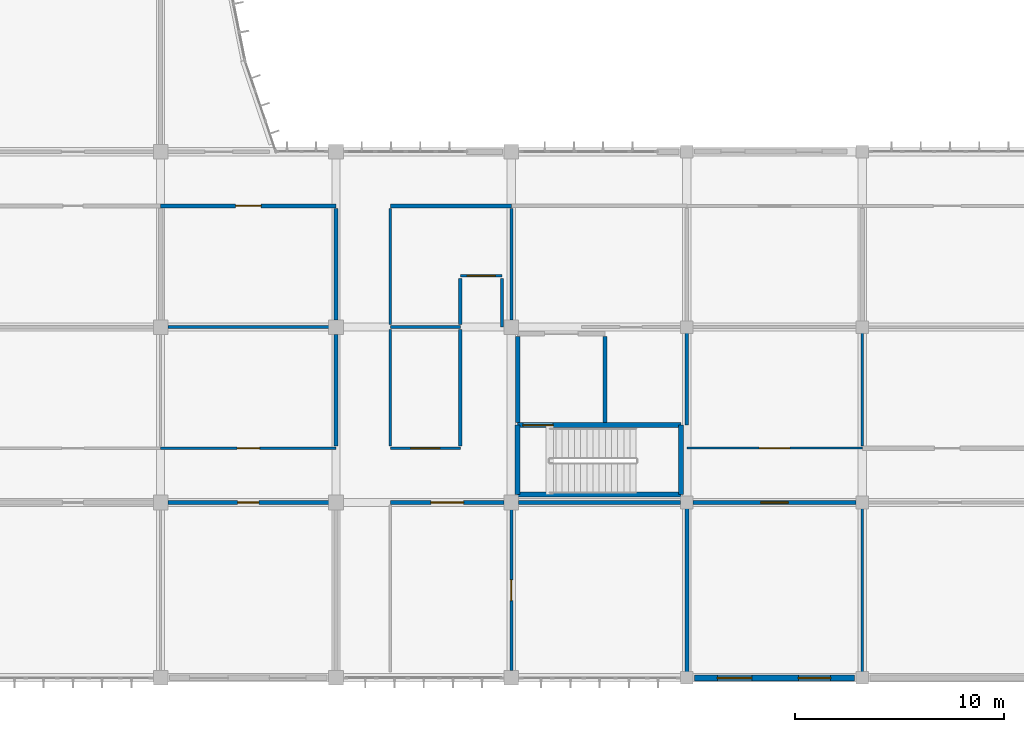
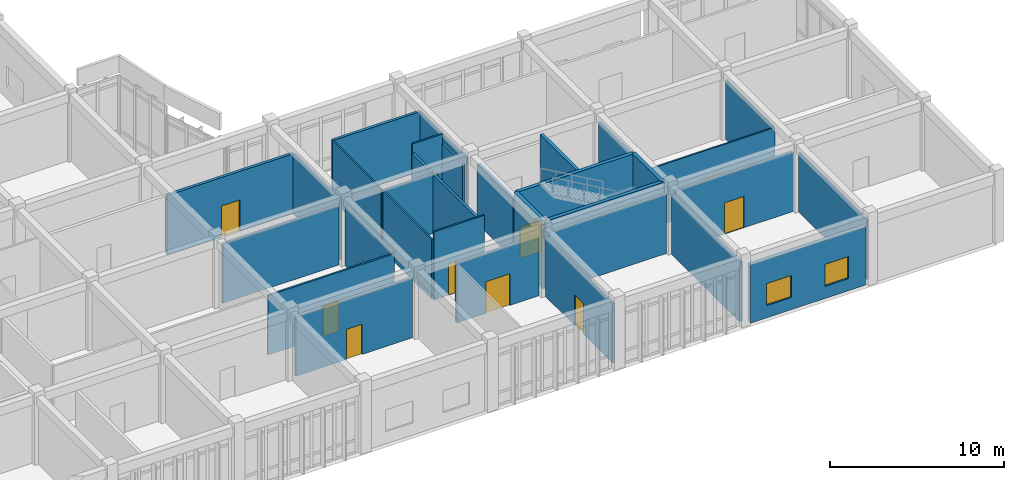
# One storey, part 108 of 134: 32 walls, 10 doors, 2 windows, 12 openings.
"""IFC4 building model written with IfcOpenShell, lengths in metres."""

from ifc_helpers import new_model, si_unit, direction, frame, frame_2d, origin, place, context, subcontext, project, spatial, rectangle, extrude, material, layer, layer_set, type_object, element, fill, save


model = new_model("IFC4")

# Units and contexts
model_context = context("Model", 3, precision=1e-05, world=origin(), true_north=direction((0.0, 1.0)))
body_context = subcontext(model_context, "Body", "Model", "MODEL_VIEW")
ifc_project = project(units=[si_unit("LENGTHUNIT", "METRE"), si_unit("AREAUNIT", "SQUARE_METRE"), si_unit("VOLUMEUNIT", "CUBIC_METRE"), si_unit("PLANEANGLEUNIT", "RADIAN"), si_unit("MASSUNIT", "GRAM", prefix="KILO")], contexts=[model_context])

# Site, building, storey
site_placement = place(None, origin())
site = spatial("IfcSite", under=ifc_project, at=site_placement, CompositionType="ELEMENT")
building_placement = place(site_placement, origin())
building = spatial("IfcBuilding", under=site, at=building_placement, Name="Bramfleet General Hospital", CompositionType="ELEMENT")
storey_placement = place(building_placement, frame((0.0, 0.0, 9.300048828125)))
storey = spatial("IfcBuildingStorey", under=building, at=storey_placement, Name="L02", CompositionType="ELEMENT", Elevation=9.300048828125)

# Wall, openings, windows
ifc_material_1 = material(Name="Precast concrete C40/50", Category="concrete")
ifc_layer_1 = layer(ifc_material_1, 0.280029296875, Name="WT-EW-06")
ifc_layer_set_1 = layer_set([ifc_layer_1], Name="Precast concrete C40/50")
wall_type_1 = type_object("IfcWallType", Name="WT-EW-06", PredefinedType="SOLIDWALL", material=ifc_layer_set_1)
wall_1_placement = place(storey_placement, frame((159.22509765625, 0.0, 0.0), z_axis=(0.0, 0.0, 1.0), x_axis=(-1.0, 0.0, 0.0)))
wall_1 = element("IfcWall", 1, at=wall_1_placement, inside=storey, type_object=wall_type_1, Name="L02 Exterior Wall 228", PredefinedType="SOLIDWALL", context=body_context, shape_type="SweptSolid", body=[
    extrude(rectangle(XDim=7.650146484375, YDim=0.280029296875, at=frame_2d((3.8251953125, 0.0))), origin(), (0.0, 0.0, 1.0), 4.070068359375),
])
opening_1_placement = place(wall_1_placement, frame((1.137451171875, 0.0, 0.85009765625)))
opening_1 = element("IfcOpeningElement", 2, at=opening_1_placement, cuts=wall_1, Name="Opening W-26", PredefinedType="OPENING", context=body_context, shape_type="SweptSolid", body=[
    extrude(rectangle(XDim=1.550048828125, YDim=1.5400390625, at=frame_2d((0.77490234375, 0.77001953125))), frame((0.0, 0.14990234375, 0.0), z_axis=(0.0, -1.0, 0.0), x_axis=(1.0, 0.0, 0.0)), (0.0, 0.0, 1.0), 0.300048828125),
])
opening_2_placement = place(wall_1_placement, frame((4.91259765625, 0.0, 0.85009765625)))
opening_2 = element("IfcOpeningElement", 3, at=opening_2_placement, cuts=wall_1, Name="Opening W-27", PredefinedType="OPENING", context=body_context, shape_type="SweptSolid", body=[
    extrude(rectangle(XDim=1.64990234375, YDim=1.5400390625, at=frame_2d((0.824951171875, 0.77001953125))), frame((0.0, 0.14990234375, 0.0), z_axis=(0.0, -1.0, 0.0), x_axis=(1.0, 0.0, 0.0)), (0.0, 0.0, 1.0), 0.300048828125),
])
ifc_material_2 = material(Name="Anodised aluminium and low-E triple glazing", Category="aluminium")
window_type_1 = type_object("IfcWindowType", Name="WIN-W-26", PartitioningType="SINGLE_PANEL", PredefinedType="WINDOW", material=ifc_material_2)
window_1_placement = place(opening_1_placement, origin())
window_1 = element("IfcWindow", 4, at=window_1_placement, inside=storey, type_object=window_type_1, Name="L02 Facade Window WIN-L02-228-1", OverallHeight=1.5400390625, OverallWidth=1.550048828125, PartitioningType="SINGLE_PANEL", PredefinedType="WINDOW", context=body_context, shape_type="SweptSolid", body=[
    extrude(rectangle(XDim=1.550048828125, YDim=1.5400390625, at=frame_2d((0.77490234375, 0.77001953125))), frame((0.0, 0.030029296875, 0.0), z_axis=(0.0, -1.0, 0.0), x_axis=(1.0, 0.0, 0.0)), (0.0, 0.0, 1.0), 0.06005859375),
])
fill(opening_1, window_1)
window_type_2 = type_object("IfcWindowType", Name="WIN-W-27", PartitioningType="SINGLE_PANEL", PredefinedType="WINDOW", material=ifc_material_2)
window_2_placement = place(opening_2_placement, origin())
window_2 = element("IfcWindow", 5, at=window_2_placement, inside=storey, type_object=window_type_2, Name="L02 Facade Window WIN-L02-228-2", OverallHeight=1.5400390625, OverallWidth=1.64990234375, PartitioningType="SINGLE_PANEL", PredefinedType="WINDOW", context=body_context, shape_type="SweptSolid", body=[
    extrude(rectangle(XDim=1.64990234375, YDim=1.5400390625, at=frame_2d((0.824951171875, 0.77001953125))), frame((0.0, 0.030029296875, 0.0), z_axis=(0.0, -1.0, 0.0), x_axis=(1.0, 0.0, 0.0)), (0.0, 0.0, 1.0), 0.06005859375),
])
fill(opening_2, window_2)

# Walls
ifc_material_3 = material(Name="Concrete C35/45", Category="concrete")
ifc_layer_2 = layer(ifc_material_3, 0.205078125, Name="WT-IW-02")
ifc_layer_set_2 = layer_set([ifc_layer_2], Name="Concrete C35/45")
wall_type_2 = type_object("IfcWallType", Name="WT-IW-02", PredefinedType="PARTITIONING", material=ifc_layer_set_2)
wall_2_placement = place(storey_placement, frame((147.280029296875, 12.239990234375, 0.0), z_axis=(0.0, 0.0, 1.0), x_axis=(0.0, 1.0, 0.0)))
element("IfcWall", 6, at=wall_2_placement, inside=storey, type_object=wall_type_2, Name="L02 C10 Lobby East Shaft Wall", PredefinedType="PARTITIONING", context=body_context, shape_type="SweptSolid", body=[
    extrude(rectangle(XDim=4.1201171875, YDim=0.205078125, at=frame_2d((2.06005859375, 0.0))), origin(), (0.0, 0.0, 1.0), 4.77001953125),
])
wall_3_placement = place(storey_placement, frame((143.10009765625, 12.239990234375, 0.0), z_axis=(0.0, 0.0, 1.0), x_axis=(0.0, 1.0, 0.0)))
element("IfcWall", 7, at=wall_3_placement, inside=storey, type_object=wall_type_2, Name="L02 C10 Lobby West Compartment Wall", PredefinedType="PARTITIONING", context=body_context, shape_type="SweptSolid", body=[
    extrude(rectangle(XDim=4.1201171875, YDim=0.205078125, at=frame_2d((2.06005859375, 0.0))), origin(), (0.0, 0.0, 1.0), 4.169921875),
])

# Wall, opening, door
wall_4_placement = place(storey_placement, frame((126.344970703125, 8.39990234375, 0.0), z_axis=(0.0, 0.0, 1.0), x_axis=(1.0, 0.0, 0.0)))
wall_4 = element("IfcWall", 8, at=wall_4_placement, inside=storey, type_object=wall_type_2, Name="L02 Interior Partition IW-L02-1934", PredefinedType="PARTITIONING", context=body_context, shape_type="SweptSolid", body=[
    extrude(rectangle(XDim=7.7099609375, YDim=0.205078125, at=frame_2d((3.85498046875, 0.0))), origin(), (0.0, 0.0, 1.0), 4.169921875),
])
opening_3_placement = place(wall_4_placement, frame((3.344970703125, 0.0, 0.0)))
opening_3 = element("IfcOpeningElement", 9, at=opening_3_placement, cuts=wall_4, Name="Opening D0981", PredefinedType="OPENING", context=body_context, shape_type="SweptSolid", body=[
    extrude(rectangle(XDim=1.02001953125, YDim=2.1201171875, at=frame_2d((0.510009765625, 1.06005859375))), frame((0.0, 0.112548828125, 0.0), z_axis=(0.0, -1.0, 0.0), x_axis=(1.0, 0.0, 0.0)), (0.0, 0.0, 1.0), 0.22509765625),
])
ifc_material_4 = material(Name="Stainless steel and acoustic timber leaf", Category="steel")
door_type_1 = type_object("IfcDoorType", Name="DR-D-21", OperationType="NOTDEFINED", PredefinedType="DOOR", material=ifc_material_4)
door_1_placement = place(opening_3_placement, origin())
door_1 = element("IfcDoor", 10, at=door_1_placement, inside=storey, type_object=door_type_1, Name="Outpatient Physiotherapy Clinic L02-1500 Door D0981", OperationType="SINGLE_SWING_RIGHT", OverallHeight=2.1201171875, OverallWidth=1.02001953125, PredefinedType="DOOR", context=body_context, shape_type="SweptSolid", body=[
    extrude(rectangle(XDim=1.02001953125, YDim=2.1201171875, at=frame_2d((0.510009765625, 1.06005859375))), frame((0.0, 0.02490234375, 0.0), z_axis=(0.0, -1.0, 0.0), x_axis=(1.0, 0.0, 0.0)), (0.0, 0.0, 1.0), 0.050048828125),
])
fill(opening_3, door_1)

ifc_layer_3 = layer(ifc_material_3, 0.18994140625, Name="WT-IW-03")
ifc_layer_set_3 = layer_set([ifc_layer_3], Name="Concrete C35/45")
wall_type_3 = type_object("IfcWallType", Name="WT-IW-03", PredefinedType="PARTITIONING", material=ifc_layer_set_3)
wall_5_placement = place(storey_placement, frame((137.0, 8.39990234375, 0.0), z_axis=(0.0, 0.0, 1.0), x_axis=(1.0, 0.0, 0.0)))
wall_5 = element("IfcWall", 11, at=wall_5_placement, inside=storey, type_object=wall_type_3, Name="L02 Interior Partition IW-L02-1935", PredefinedType="PARTITIONING", context=body_context, shape_type="SweptSolid", body=[
    extrude(rectangle(XDim=5.455078125, YDim=0.18994140625, at=frame_2d((2.7275390625, 0.0))), origin(), (0.0, 0.0, 1.0), 4.169921875),
])
opening_4_placement = place(wall_5_placement, frame((1.9375, 0.0, 0.0)))
opening_4 = element("IfcOpeningElement", 12, at=opening_4_placement, cuts=wall_5, Name="Opening D0992", PredefinedType="OPENING", context=body_context, shape_type="SweptSolid", body=[
    extrude(rectangle(XDim=1.580078125, YDim=2.219970703125, at=frame_2d((0.7900390625, 1.10986328125))), frame((0.0, 0.10498046875, 0.0), z_axis=(0.0, -1.0, 0.0), x_axis=(1.0, 0.0, 0.0)), (0.0, 0.0, 1.0), 0.2099609375),
])
door_type_2 = type_object("IfcDoorType", Name="DR-D-32", OperationType="NOTDEFINED", PredefinedType="DOOR", material=ifc_material_4)
door_2_placement = place(opening_4_placement, origin())
door_2 = element("IfcDoor", 13, at=door_2_placement, inside=storey, type_object=door_type_2, Name="Outpatient Physiotherapy Clinic L02-1600 Door D0992", OperationType="DOUBLE_SWING_LEFT", OverallHeight=2.219970703125, OverallWidth=1.580078125, PredefinedType="DOOR", context=body_context, shape_type="SweptSolid", body=[
    extrude(rectangle(XDim=1.580078125, YDim=2.219970703125, at=frame_2d((0.7900390625, 1.10986328125))), frame((0.0, 0.02490234375, 0.0), z_axis=(0.0, -1.0, 0.0), x_axis=(1.0, 0.0, 0.0)), (0.0, 0.0, 1.0), 0.050048828125),
])
fill(opening_4, door_2)

wall_6_placement = place(storey_placement, frame((126.0, 22.60009765625, 0.0), z_axis=(0.0, 0.0, 1.0), x_axis=(1.0, 0.0, 0.0)))
wall_6 = element("IfcWall", 14, at=wall_6_placement, inside=storey, type_object=wall_type_3, Name="L02 Interior Partition IW-L02-1959", PredefinedType="PARTITIONING", context=body_context, shape_type="SweptSolid", body=[
    extrude(rectangle(XDim=8.39990234375, YDim=0.18994140625, at=frame_2d((4.199951171875, 0.0))), origin(), (0.0, 0.0, 1.0), 4.169921875),
])
opening_5_placement = place(wall_6_placement, frame((3.590087890625, 0.0, 0.0)))
opening_5 = element("IfcOpeningElement", 15, at=opening_5_placement, cuts=wall_6, Name="Opening D0983", PredefinedType="OPENING", context=body_context, shape_type="SweptSolid", body=[
    extrude(rectangle(XDim=1.219970703125, YDim=2.179931640625, at=frame_2d((0.60986328125, 1.08984375))), frame((0.0, 0.10498046875, 0.0), z_axis=(0.0, -1.0, 0.0), x_axis=(1.0, 0.0, 0.0)), (0.0, 0.0, 1.0), 0.2099609375),
])
door_type_3 = type_object("IfcDoorType", Name="DR-D-23", OperationType="NOTDEFINED", PredefinedType="DOOR", material=ifc_material_4)
door_3_placement = place(opening_5_placement, origin())
door_3 = element("IfcDoor", 16, at=door_3_placement, inside=storey, type_object=door_type_3, Name="Outpatient Physiotherapy Clinic L02-1502 Door D0983", OperationType="SINGLE_SWING_RIGHT", OverallHeight=2.179931640625, OverallWidth=1.219970703125, PredefinedType="DOOR", context=body_context, shape_type="SweptSolid", body=[
    extrude(rectangle(XDim=1.219970703125, YDim=2.179931640625, at=frame_2d((0.60986328125, 1.08984375))), frame((0.0, 0.02490234375, 0.0), z_axis=(0.0, -1.0, 0.0), x_axis=(1.0, 0.0, 0.0)), (0.0, 0.0, 1.0), 0.050048828125),
])
fill(opening_5, door_3)

# Walls
wall_7_placement = place(storey_placement, frame((134.39990234375, 11.114990234375, 0.0), z_axis=(0.0, 0.0, 1.0), x_axis=(0.0, 1.0, 0.0)))
element("IfcWall", 17, at=wall_7_placement, inside=storey, type_object=wall_type_3, Name="L02 Interior Partition IW-L02-2415", PredefinedType="PARTITIONING", context=body_context, shape_type="SweptSolid", body=[
    extrude(rectangle(XDim=5.340087890625, YDim=0.18994140625, at=frame_2d((2.669921875, 0.0))), origin(), (0.0, 0.0, 1.0), 4.169921875),
])
wall_8_placement = place(storey_placement, frame((151.199951171875, 0.294921875, 0.0), z_axis=(0.0, 0.0, 1.0), x_axis=(0.0, 1.0, 0.0)))
element("IfcWall", 18, at=wall_8_placement, inside=storey, type_object=wall_type_3, Name="L02 Interior Partition IW-L02-2439", PredefinedType="PARTITIONING", context=body_context, shape_type="SweptSolid", body=[
    extrude(rectangle(XDim=7.81005859375, YDim=0.18994140625, at=frame_2d((3.905029296875, 0.0))), origin(), (0.0, 0.0, 1.0), 4.169921875),
])
ifc_layer_4 = layer(ifc_material_3, 0.179931640625, Name="WT-IW-04")
ifc_layer_set_4 = layer_set([ifc_layer_4], Name="Concrete C35/45")
wall_type_4 = type_object("IfcWallType", Name="WT-IW-04", PredefinedType="PARTITIONING", material=ifc_layer_set_4)
wall_9_placement = place(storey_placement, frame((143.14501953125, 8.39990234375, 0.0), z_axis=(0.0, 0.0, 1.0), x_axis=(1.0, 0.0, 0.0)))
element("IfcWall", 19, at=wall_9_placement, inside=storey, type_object=wall_type_4, Name="L02 Interior Partition IW-L02-1936", PredefinedType="PARTITIONING", context=body_context, shape_type="SweptSolid", body=[
    extrude(rectangle(XDim=7.760009765625, YDim=0.179931640625, at=frame_2d((3.8798828125, 0.0))), origin(), (0.0, 0.0, 1.0), 4.169921875),
])
wall_10_placement = place(storey_placement, frame((137.0, 22.60009765625, 0.0), z_axis=(0.0, 0.0, 1.0), x_axis=(1.0, 0.0, 0.0)))
element("IfcWall", 20, at=wall_10_placement, inside=storey, type_object=wall_type_4, Name="L02 Interior Partition IW-L02-1960", PredefinedType="PARTITIONING", context=body_context, shape_type="SweptSolid", body=[
    extrude(rectangle(XDim=5.800048828125, YDim=0.179931640625, at=frame_2d((2.89990234375, 0.0))), origin(), (0.0, 0.0, 1.0), 4.169921875),
])
wall_11_placement = place(storey_placement, frame((134.39990234375, 17.14501953125, 0.0), z_axis=(0.0, 0.0, 1.0), x_axis=(0.0, 1.0, 0.0)))
element("IfcWall", 21, at=wall_11_placement, inside=storey, type_object=wall_type_4, Name="L02 Interior Partition IW-L02-2416", PredefinedType="PARTITIONING", context=body_context, shape_type="SweptSolid", body=[
    extrude(rectangle(XDim=5.340087890625, YDim=0.179931640625, at=frame_2d((2.669921875, 0.0))), origin(), (0.0, 0.0, 1.0), 4.169921875),
])
wall_12_placement = place(storey_placement, frame((151.199951171875, 12.10009765625, 0.0), z_axis=(0.0, 0.0, 1.0), x_axis=(0.0, 1.0, 0.0)))
element("IfcWall", 22, at=wall_12_placement, inside=storey, type_object=wall_type_4, Name="L02 Interior Partition IW-L02-2440", PredefinedType="PARTITIONING", context=body_context, shape_type="SweptSolid", body=[
    extrude(rectangle(XDim=4.40478515625, YDim=0.179931640625, at=frame_2d((2.202392578125, 0.0))), origin(), (0.0, 0.0, 1.0), 4.169921875),
])

# Wall, opening, door
ifc_material_5 = material(Name="Gypsum plasterboard on acoustic steel studs", Category="steel")
ifc_layer_5 = layer(ifc_material_5, 0.169921875, Name="WT-IW-05")
ifc_layer_set_5 = layer_set([ifc_layer_5], Name="Gypsum plasterboard on acoustic steel studs")
wall_type_5 = type_object("IfcWallType", Name="WT-IW-05", PredefinedType="PARTITIONING", material=ifc_layer_set_5)
wall_13_placement = place(storey_placement, frame((151.4951171875, 8.39990234375, 0.0), z_axis=(0.0, 0.0, 1.0), x_axis=(1.0, 0.0, 0.0)))
wall_13 = element("IfcWall", 23, at=wall_13_placement, inside=storey, type_object=wall_type_5, Name="L02 Interior Partition IW-L02-1937", PredefinedType="PARTITIONING", context=body_context, shape_type="SweptSolid", body=[
    extrude(rectangle(XDim=7.809814453125, YDim=0.169921875, at=frame_2d((3.90478515625, 0.0))), origin(), (0.0, 0.0, 1.0), 4.169921875),
])
opening_6_placement = place(wall_13_placement, frame((3.2548828125, 0.0, 0.0)))
opening_6 = element("IfcOpeningElement", 24, at=opening_6_placement, cuts=wall_13, Name="Opening D1007", PredefinedType="OPENING", context=body_context, shape_type="SweptSolid", body=[
    extrude(rectangle(XDim=1.300048828125, YDim=2.199951171875, at=frame_2d((0.64990234375, 1.10009765625))), frame((0.0, 0.094970703125, 0.0), z_axis=(0.0, -1.0, 0.0), x_axis=(1.0, 0.0, 0.0)), (0.0, 0.0, 1.0), 0.18994140625),
])
door_type_4 = type_object("IfcDoorType", Name="DR-D-15", OperationType="NOTDEFINED", PredefinedType="DOOR", material=ifc_material_4)
door_4_placement = place(opening_6_placement, origin())
door_4 = element("IfcDoor", 25, at=door_4_placement, inside=storey, type_object=door_type_4, Name="Outpatient Physiotherapy Clinic L02-1800 Door D1007", OperationType="SINGLE_SWING_RIGHT", OverallHeight=2.199951171875, OverallWidth=1.300048828125, PredefinedType="DOOR", context=body_context, shape_type="SweptSolid", body=[
    extrude(rectangle(XDim=1.300048828125, YDim=2.199951171875, at=frame_2d((0.64990234375, 1.10009765625))), frame((0.0, 0.02490234375, 0.0), z_axis=(0.0, -1.0, 0.0), x_axis=(1.0, 0.0, 0.0)), (0.0, 0.0, 1.0), 0.050048828125),
])
fill(opening_6, door_4)

# Walls
wall_14_placement = place(storey_placement, frame((140.35009765625, 11.114990234375, 0.0), z_axis=(0.0, 0.0, 1.0), x_axis=(0.0, 1.0, 0.0)))
element("IfcWall", 26, at=wall_14_placement, inside=storey, type_object=wall_type_5, Name="L02 Interior Partition IW-L02-2429", PredefinedType="PARTITIONING", context=body_context, shape_type="SweptSolid", body=[
    extrude(rectangle(XDim=5.570068359375, YDim=0.169921875, at=frame_2d((2.78515625, 0.0))), origin(), (0.0, 0.0, 1.0), 4.169921875),
])
ifc_layer_6 = layer(ifc_material_5, 0.159912109375, Name="WT-IW-06")
ifc_layer_set_6 = layer_set([ifc_layer_6], Name="Gypsum plasterboard on acoustic steel studs")
wall_type_6 = type_object("IfcWallType", Name="WT-IW-06", PredefinedType="PARTITIONING", material=ifc_layer_set_6)
wall_15_placement = place(storey_placement, frame((126.344970703125, 16.800048828125, 0.0), z_axis=(0.0, 0.0, 1.0), x_axis=(1.0, 0.0, 0.0)))
element("IfcWall", 27, at=wall_15_placement, inside=storey, type_object=wall_type_6, Name="L02 Interior Partition IW-L02-1950", PredefinedType="PARTITIONING", context=body_context, shape_type="SweptSolid", body=[
    extrude(rectangle(XDim=7.7099609375, YDim=0.159912109375, at=frame_2d((3.85498046875, 0.0))), origin(), (0.0, 0.0, 1.0), 4.169921875),
])
wall_16_placement = place(storey_placement, frame((140.35009765625, 16.9150390625, 0.0), z_axis=(0.0, 0.0, 1.0), x_axis=(0.0, 1.0, 0.0)))
element("IfcWall", 28, at=wall_16_placement, inside=storey, type_object=wall_type_6, Name="L02 Interior Partition IW-L02-2430", PredefinedType="PARTITIONING", context=body_context, shape_type="SweptSolid", body=[
    extrude(rectangle(XDim=2.219970703125, YDim=0.159912109375, at=frame_2d((1.10986328125, 0.0))), origin(), (0.0, 0.0, 1.0), 4.169921875),
])
ifc_layer_7 = layer(ifc_material_5, 0.14990234375, Name="WT-IW-07")
ifc_layer_set_7 = layer_set([ifc_layer_7], Name="Gypsum plasterboard on acoustic steel studs")
wall_type_7 = type_object("IfcWallType", Name="WT-IW-07", PredefinedType="PARTITIONING", material=ifc_layer_set_7)
wall_17_placement = place(storey_placement, frame((137.0, 16.800048828125, 0.0), z_axis=(0.0, 0.0, 1.0), x_axis=(1.0, 0.0, 0.0)))
element("IfcWall", 29, at=wall_17_placement, inside=storey, type_object=wall_type_7, Name="L02 Interior Partition IW-L02-1951", PredefinedType="PARTITIONING", context=body_context, shape_type="SweptSolid", body=[
    extrude(rectangle(XDim=3.35009765625, YDim=0.14990234375, at=frame_2d((1.675048828125, 0.0))), origin(), (0.0, 0.0, 1.0), 4.169921875),
])
wall_18_placement = place(storey_placement, frame((142.35009765625, 16.800048828125, 0.0), z_axis=(0.0, 0.0, 1.0), x_axis=(0.0, 1.0, 0.0)))
element("IfcWall", 30, at=wall_18_placement, inside=storey, type_object=wall_type_7, Name="L02 Interior Partition IW-L02-2431", PredefinedType="PARTITIONING", context=body_context, shape_type="SweptSolid", body=[
    extrude(rectangle(XDim=2.3349609375, YDim=0.14990234375, at=frame_2d((1.16748046875, 0.0))), origin(), (0.0, 0.0, 1.0), 4.169921875),
])

# Wall, opening, door
ifc_layer_8 = layer(ifc_material_5, 0.139892578125, Name="WT-IW-08")
ifc_layer_set_8 = layer_set([ifc_layer_8], Name="Gypsum plasterboard on acoustic steel studs")
wall_type_8 = type_object("IfcWallType", Name="WT-IW-08", PredefinedType="PARTITIONING", material=ifc_layer_set_8)
wall_19_placement = place(storey_placement, frame((142.800048828125, 0.344970703125, 0.0), z_axis=(0.0, 0.0, 1.0), x_axis=(0.0, 1.0, 0.0)))
wall_19 = element("IfcWall", 31, at=wall_19_placement, inside=storey, type_object=wall_type_8, Name="L02 Interior Partition IW-L02-2432", PredefinedType="PARTITIONING", context=body_context, shape_type="SweptSolid", body=[
    extrude(rectangle(XDim=7.7099609375, YDim=0.139892578125, at=frame_2d((3.85498046875, 0.0))), origin(), (0.0, 0.0, 1.0), 4.169921875),
])
opening_7_placement = place(wall_19_placement, frame((3.35498046875, 0.0, 0.0)))
opening_7 = element("IfcOpeningElement", 32, at=opening_7_placement, cuts=wall_19, Name="Opening D1000", PredefinedType="OPENING", context=body_context, shape_type="SweptSolid", body=[
    extrude(rectangle(XDim=1.0, YDim=2.14990234375, at=frame_2d((0.5, 1.074951171875))), frame((0.0, 0.079833984375, 0.0), z_axis=(0.0, -1.0, 0.0), x_axis=(1.0, 0.0, 0.0)), (0.0, 0.0, 1.0), 0.159912109375),
])
door_type_5 = type_object("IfcDoorType", Name="DR-D-08", OperationType="NOTDEFINED", PredefinedType="DOOR", material=ifc_material_4)
door_5_placement = place(opening_7_placement, origin())
door_5 = element("IfcDoor", 33, at=door_5_placement, inside=storey, type_object=door_type_5, Name="Outpatient Physiotherapy Clinic L02-1700 Door D1000", OperationType="SINGLE_SWING_LEFT", OverallHeight=2.14990234375, OverallWidth=1.0, PredefinedType="DOOR", context=body_context, shape_type="SweptSolid", body=[
    extrude(rectangle(XDim=1.0, YDim=2.14990234375, at=frame_2d((0.5, 1.074951171875))), frame((0.0, 0.02490234375, 0.0), z_axis=(0.0, -1.0, 0.0), x_axis=(1.0, 0.0, 0.0)), (0.0, 0.0, 1.0), 0.050048828125),
])
fill(opening_7, door_5)

# Wall
ifc_layer_9 = layer(ifc_material_5, 0.1298828125, Name="WT-IW-09")
ifc_layer_set_9 = layer_set([ifc_layer_9], Name="Gypsum plasterboard on acoustic steel studs")
wall_type_9 = type_object("IfcWallType", Name="WT-IW-09", PredefinedType="PARTITIONING", material=ifc_layer_set_9)
wall_20_placement = place(storey_placement, frame((142.800048828125, 17.14501953125, 0.0), z_axis=(0.0, 0.0, 1.0), x_axis=(0.0, 1.0, 0.0)))
element("IfcWall", 34, at=wall_20_placement, inside=storey, type_object=wall_type_9, Name="L02 Interior Partition IW-L02-2433", PredefinedType="PARTITIONING", context=body_context, shape_type="SweptSolid", body=[
    extrude(rectangle(XDim=5.340087890625, YDim=0.1298828125, at=frame_2d((2.669921875, 0.0))), origin(), (0.0, 0.0, 1.0), 4.169921875),
])

# Wall, opening, door
ifc_layer_10 = layer(ifc_material_5, 0.1201171875, Name="WT-IW-10")
ifc_layer_set_10 = layer_set([ifc_layer_10], Name="Gypsum plasterboard on acoustic steel studs")
wall_type_10 = type_object("IfcWallType", Name="WT-IW-10", PredefinedType="PARTITIONING", material=ifc_layer_set_10)
wall_21_placement = place(storey_placement, frame((126.0, 11.0, 0.0), z_axis=(0.0, 0.0, 1.0), x_axis=(1.0, 0.0, 0.0)))
wall_21 = element("IfcWall", 35, at=wall_21_placement, inside=storey, type_object=wall_type_10, Name="L02 Interior Partition IW-L02-1942", PredefinedType="PARTITIONING", context=body_context, shape_type="SweptSolid", body=[
    extrude(rectangle(XDim=8.39990234375, YDim=0.1201171875, at=frame_2d((4.199951171875, 0.0))), origin(), (0.0, 0.0, 1.0), 4.169921875),
])
opening_8_placement = place(wall_21_placement, frame((3.659912109375, 0.0, 0.0)))
opening_8 = element("IfcOpeningElement", 36, at=opening_8_placement, cuts=wall_21, Name="Opening D0982", PredefinedType="OPENING", context=body_context, shape_type="SweptSolid", body=[
    extrude(rectangle(XDim=1.080078125, YDim=2.1201171875, at=frame_2d((0.5400390625, 1.06005859375))), frame((0.0, 0.070068359375, 0.0), z_axis=(0.0, -1.0, 0.0), x_axis=(1.0, 0.0, 0.0)), (0.0, 0.0, 1.0), 0.14013671875),
])
door_type_6 = type_object("IfcDoorType", Name="DR-D-22", OperationType="NOTDEFINED", PredefinedType="DOOR", material=ifc_material_4)
door_6_placement = place(opening_8_placement, origin())
door_6 = element("IfcDoor", 37, at=door_6_placement, inside=storey, type_object=door_type_6, Name="Outpatient Physiotherapy Clinic L02-1501 Door D0982", OperationType="SINGLE_SWING_LEFT", OverallHeight=2.1201171875, OverallWidth=1.080078125, PredefinedType="DOOR", context=body_context, shape_type="SweptSolid", body=[
    extrude(rectangle(XDim=1.080078125, YDim=2.1201171875, at=frame_2d((0.5400390625, 1.06005859375))), frame((0.0, 0.02490234375, 0.0), z_axis=(0.0, -1.0, 0.0), x_axis=(1.0, 0.0, 0.0)), (0.0, 0.0, 1.0), 0.050048828125),
])
fill(opening_8, door_6)

ifc_layer_11 = layer(ifc_material_5, 0.112060546875, Name="WT-IW-11")
ifc_layer_set_11 = layer_set([ifc_layer_11], Name="Gypsum plasterboard on acoustic steel studs")
wall_type_11 = type_object("IfcWallType", Name="WT-IW-11", PredefinedType="PARTITIONING", material=ifc_layer_set_11)
wall_22_placement = place(storey_placement, frame((137.0, 11.0, 0.0), z_axis=(0.0, 0.0, 1.0), x_axis=(1.0, 0.0, 0.0)))
wall_22 = element("IfcWall", 38, at=wall_22_placement, inside=storey, type_object=wall_type_11, Name="L02 Interior Partition IW-L02-1943", PredefinedType="PARTITIONING", context=body_context, shape_type="SweptSolid", body=[
    extrude(rectangle(XDim=3.35009765625, YDim=0.112060546875, at=frame_2d((1.675048828125, 0.0))), origin(), (0.0, 0.0, 1.0), 4.77001953125),
])
opening_9_placement = place(wall_22_placement, frame((0.97509765625, 0.0, 0.0)))
opening_9 = element("IfcOpeningElement", 39, at=opening_9_placement, cuts=wall_22, Name="Opening D0993", PredefinedType="OPENING", context=body_context, shape_type="SweptSolid", body=[
    extrude(rectangle(XDim=1.39990234375, YDim=2.199951171875, at=frame_2d((0.699951171875, 1.10009765625))), frame((0.0, 0.06591796875, 0.0), z_axis=(0.0, -1.0, 0.0), x_axis=(1.0, 0.0, 0.0)), (0.0, 0.0, 1.0), 0.132080078125),
])
door_type_7 = type_object("IfcDoorType", Name="DR-D-01", OperationType="NOTDEFINED", PredefinedType="DOOR", material=ifc_material_4)
door_7_placement = place(opening_9_placement, origin())
door_7 = element("IfcDoor", 40, at=door_7_placement, inside=storey, type_object=door_type_7, Name="Outpatient Physiotherapy Clinic L02-1601 Door D0993", OperationType="SINGLE_SWING_RIGHT", OverallHeight=2.199951171875, OverallWidth=1.39990234375, PredefinedType="DOOR", context=body_context, shape_type="SweptSolid", body=[
    extrude(rectangle(XDim=1.39990234375, YDim=2.199951171875, at=frame_2d((0.699951171875, 1.10009765625))), frame((0.0, 0.02490234375, 0.0), z_axis=(0.0, -1.0, 0.0), x_axis=(1.0, 0.0, 0.0)), (0.0, 0.0, 1.0), 0.050048828125),
])
fill(opening_9, door_7)

wall_23_placement = place(storey_placement, frame((140.35009765625, 19.25, 0.0), z_axis=(0.0, 0.0, 1.0), x_axis=(1.0, 0.0, 0.0)))
wall_23 = element("IfcWall", 41, at=wall_23_placement, inside=storey, type_object=wall_type_11, Name="L02 Interior Partition IW-L02-1955", PredefinedType="PARTITIONING", context=body_context, shape_type="SweptSolid", body=[
    extrude(rectangle(XDim=2.0, YDim=0.112060546875, at=frame_2d((1.0, 0.0))), origin(), (0.0, 0.0, 1.0), 4.77001953125),
])
opening_10_placement = place(wall_23_placement, frame((0.324951171875, 0.0, 0.0)))
opening_10 = element("IfcOpeningElement", 42, at=opening_10_placement, cuts=wall_23, Name="Opening D0994", PredefinedType="OPENING", context=body_context, shape_type="SweptSolid", body=[
    extrude(rectangle(XDim=1.35009765625, YDim=2.199951171875, at=frame_2d((0.675048828125, 1.10009765625))), frame((0.0, 0.06591796875, 0.0), z_axis=(0.0, -1.0, 0.0), x_axis=(1.0, 0.0, 0.0)), (0.0, 0.0, 1.0), 0.132080078125),
])
door_type_8 = type_object("IfcDoorType", Name="DR-D-02", OperationType="NOTDEFINED", PredefinedType="DOOR", material=ifc_material_4)
door_8_placement = place(opening_10_placement, origin())
door_8 = element("IfcDoor", 43, at=door_8_placement, inside=storey, type_object=door_type_8, Name="Outpatient Physiotherapy Clinic L02-1602 Door D0994", OperationType="SINGLE_SWING_LEFT", OverallHeight=2.199951171875, OverallWidth=1.35009765625, PredefinedType="DOOR", context=body_context, shape_type="SweptSolid", body=[
    extrude(rectangle(XDim=1.35009765625, YDim=2.199951171875, at=frame_2d((0.675048828125, 1.10009765625))), frame((0.0, 0.02490234375, 0.0), z_axis=(0.0, -1.0, 0.0), x_axis=(1.0, 0.0, 0.0)), (0.0, 0.0, 1.0), 0.050048828125),
])
fill(opening_10, door_8)

# Walls
wall_24_placement = place(storey_placement, frame((137.0, 11.114990234375, 0.0), z_axis=(0.0, 0.0, 1.0), x_axis=(0.0, 1.0, 0.0)))
element("IfcWall", 44, at=wall_24_placement, inside=storey, type_object=wall_type_11, Name="L02 Interior Partition IW-L02-2423", PredefinedType="PARTITIONING", context=body_context, shape_type="SweptSolid", body=[
    extrude(rectangle(XDim=5.570068359375, YDim=0.112060546875, at=frame_2d((2.78515625, 0.0))), origin(), (0.0, 0.0, 1.0), 4.169921875),
])
wall_25_placement = place(storey_placement, frame((159.60009765625, 0.294921875, 0.0), z_axis=(0.0, 0.0, 1.0), x_axis=(0.0, 1.0, 0.0)))
element("IfcWall", 45, at=wall_25_placement, inside=storey, type_object=wall_type_11, Name="L02 Interior Partition IW-L02-2447", PredefinedType="PARTITIONING", context=body_context, shape_type="SweptSolid", body=[
    extrude(rectangle(XDim=7.81005859375, YDim=0.112060546875, at=frame_2d((3.905029296875, 0.0))), origin(), (0.0, 0.0, 1.0), 4.169921875),
])

# Wall, opening, door
ifc_layer_12 = layer(ifc_material_5, 0.10009765625, Name="WT-IW-12")
ifc_layer_set_12 = layer_set([ifc_layer_12], Name="Gypsum plasterboard on acoustic steel studs")
wall_type_12 = type_object("IfcWallType", Name="WT-IW-12", PredefinedType="PARTITIONING", material=ifc_layer_set_12)
wall_26_placement = place(storey_placement, frame((151.199951171875, 11.0, 0.0), z_axis=(0.0, 0.0, 1.0), x_axis=(1.0, 0.0, 0.0)))
wall_26 = element("IfcWall", 46, at=wall_26_placement, inside=storey, type_object=wall_type_12, Name="L02 Interior Partition IW-L02-1944", PredefinedType="PARTITIONING", context=body_context, shape_type="SweptSolid", body=[
    extrude(rectangle(XDim=8.400146484375, YDim=0.10009765625, at=frame_2d((4.2001953125, 0.0))), origin(), (0.0, 0.0, 1.0), 4.169921875),
])
opening_11_placement = place(wall_26_placement, frame((3.4599609375, 0.0, 0.0)))
opening_11 = element("IfcOpeningElement", 47, at=opening_11_placement, cuts=wall_26, Name="Opening D1008", PredefinedType="OPENING", context=body_context, shape_type="SweptSolid", body=[
    extrude(rectangle(XDim=1.47998046875, YDim=2.219970703125, at=frame_2d((0.739990234375, 1.10986328125))), frame((0.0, 0.06005859375, 0.0), z_axis=(0.0, -1.0, 0.0), x_axis=(1.0, 0.0, 0.0)), (0.0, 0.0, 1.0), 0.1201171875),
])
door_type_9 = type_object("IfcDoorType", Name="DR-D-16", OperationType="NOTDEFINED", PredefinedType="DOOR", material=ifc_material_4)
door_9_placement = place(opening_11_placement, origin())
door_9 = element("IfcDoor", 48, at=door_9_placement, inside=storey, type_object=door_type_9, Name="Outpatient Physiotherapy Clinic L02-1801 Door D1008", OperationType="SINGLE_SWING_LEFT", OverallHeight=2.219970703125, OverallWidth=1.47998046875, PredefinedType="DOOR", context=body_context, shape_type="SweptSolid", body=[
    extrude(rectangle(XDim=1.47998046875, YDim=2.219970703125, at=frame_2d((0.739990234375, 1.10986328125))), frame((0.0, 0.02490234375, 0.0), z_axis=(0.0, -1.0, 0.0), x_axis=(1.0, 0.0, 0.0)), (0.0, 0.0, 1.0), 0.050048828125),
])
fill(opening_11, door_9)

# Walls
wall_27_placement = place(storey_placement, frame((137.0, 16.9150390625, 0.0), z_axis=(0.0, 0.0, 1.0), x_axis=(0.0, 1.0, 0.0)))
element("IfcWall", 49, at=wall_27_placement, inside=storey, type_object=wall_type_12, Name="L02 Interior Partition IW-L02-2424", PredefinedType="PARTITIONING", context=body_context, shape_type="SweptSolid", body=[
    extrude(rectangle(XDim=5.570068359375, YDim=0.10009765625, at=frame_2d((2.78515625, 0.0))), origin(), (0.0, 0.0, 1.0), 4.169921875),
])
wall_28_placement = place(storey_placement, frame((159.60009765625, 11.114990234375, 0.0), z_axis=(0.0, 0.0, 1.0), x_axis=(0.0, 1.0, 0.0)))
element("IfcWall", 50, at=wall_28_placement, inside=storey, type_object=wall_type_12, Name="L02 Interior Partition IW-L02-2448", PredefinedType="PARTITIONING", context=body_context, shape_type="SweptSolid", body=[
    extrude(rectangle(XDim=5.389892578125, YDim=0.10009765625, at=frame_2d((2.69482421875, 0.0))), origin(), (0.0, 0.0, 1.0), 4.169921875),
])
ifc_material_6 = material(Name="Concrete C40/50", Category="concrete")
ifc_layer_13 = layer(ifc_material_6, 0.239990234375, Name="WT-SW-240")
ifc_layer_set_13 = layer_set([ifc_layer_13], Name="Concrete C40/50")
wall_type_13 = type_object("IfcWallType", Name="WT-SW-240", PredefinedType="SHEAR", material=ifc_layer_set_13)
wall_29_placement = place(storey_placement, frame((143.10009765625, 8.780029296875, 0.0), z_axis=(0.0, 0.0, 1.0), x_axis=(1.0, 0.0, 0.0)))
element("IfcWall", 51, at=wall_29_placement, inside=storey, type_object=wall_type_13, Name="L02 C10 South Stair Shear Wall", PredefinedType="SHEAR", context=body_context, shape_type="SweptSolid", body=[
    extrude(rectangle(XDim=7.81982421875, YDim=0.239990234375, at=frame_2d((3.909912109375, 0.0))), origin(), (0.0, 0.0, 1.0), 4.780029296875),
])
for number, where, z_axis, x_axis, name in (
    (52, (143.10009765625, 8.780029296875, 0.0), (0.0, 0.0, 1.0), (0.0, 1.0, 0.0), "L02 C10 West Stair Shear Wall"),
    (53, (150.919921875, 8.780029296875, 0.0), (0.0, 0.0, 1.0), (0.0, 1.0, 0.0), "L02 C10 East Stair Shear Wall"),
):
    element("IfcWall", number, at=place(storey_placement, frame(where, z_axis=z_axis, x_axis=x_axis)), inside=storey, type_object=wall_type_13, Name=name, PredefinedType="SHEAR", context=body_context, shape_type="SweptSolid", body=[
        extrude(rectangle(XDim=3.320068359375, YDim=0.239990234375, at=frame_2d((1.66015625, 0.0))), origin(), (0.0, 0.0, 1.0), 4.780029296875),
    ])

# Wall, opening, door
wall_30_placement = place(storey_placement, frame((143.10009765625, 12.10009765625, 0.0), z_axis=(0.0, 0.0, 1.0), x_axis=(1.0, 0.0, 0.0)))
wall_30 = element("IfcWall", 54, at=wall_30_placement, inside=storey, type_object=wall_type_13, Name="L02 C10 Stair-Lobby Shear Wall", PredefinedType="SHEAR", context=body_context, shape_type="SweptSolid", body=[
    extrude(rectangle(XDim=7.81982421875, YDim=0.239990234375, at=frame_2d((3.909912109375, 0.0))), origin(), (0.0, 0.0, 1.0), 4.780029296875),
])
opening_12_placement = place(wall_30_placement, frame((0.25, 0.0, 0.0)))
opening_12 = element("IfcOpeningElement", 55, at=opening_12_placement, cuts=wall_30, Name="Opening D0129", PredefinedType="OPENING", context=body_context, shape_type="SweptSolid", body=[
    extrude(rectangle(XDim=1.449951171875, YDim=2.199951171875, at=frame_2d((0.72509765625, 1.10009765625))), frame((0.0, 0.1298828125, 0.0), z_axis=(0.0, -1.0, 0.0), x_axis=(1.0, 0.0, 0.0)), (0.0, 0.0, 1.0), 0.260009765625),
])
door_type_10 = type_object("IfcDoorType", Name="DR-D-03", OperationType="NOTDEFINED", PredefinedType="DOOR", material=ifc_material_4)
door_10_placement = place(opening_12_placement, origin())
door_10 = element("IfcDoor", 56, at=door_10_placement, inside=storey, type_object=door_type_10, Name="L02 C10 Escape Stair Fire Door D0129", OperationType="SINGLE_SWING_RIGHT", OverallHeight=2.199951171875, OverallWidth=1.449951171875, PredefinedType="DOOR", context=body_context, shape_type="SweptSolid", body=[
    extrude(rectangle(XDim=1.449951171875, YDim=2.199951171875, at=frame_2d((0.72509765625, 1.10009765625))), frame((0.0, 0.02490234375, 0.0), z_axis=(0.0, -1.0, 0.0), x_axis=(1.0, 0.0, 0.0)), (0.0, 0.0, 1.0), 0.050048828125),
])
fill(opening_12, door_10)

save(model, "model.ifc")
